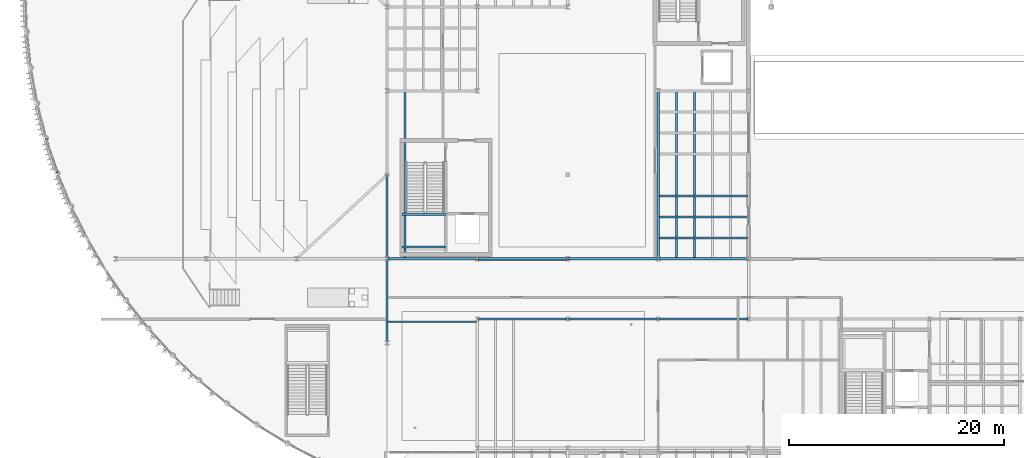
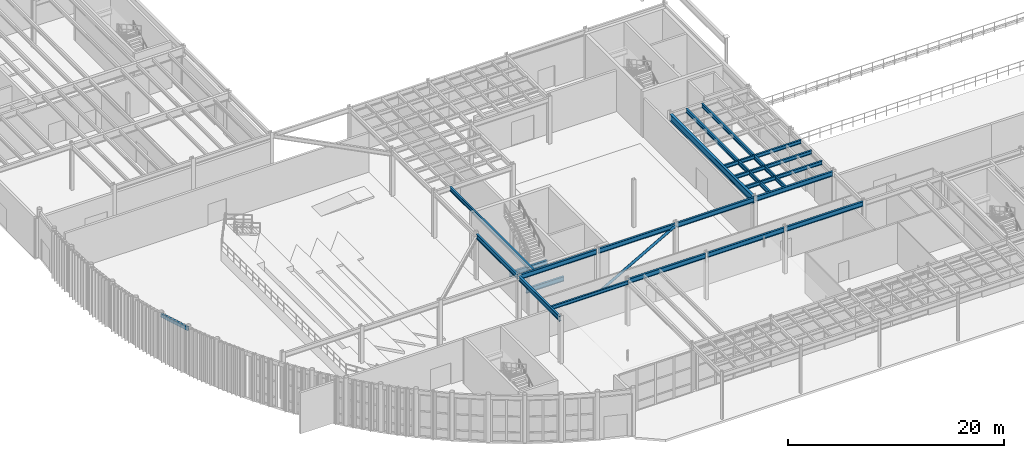
# One storey, part 30 of 87: 20 beams, 1 member.
"""IFC4 building model written with IfcOpenShell, lengths in metres."""

from ifc_helpers import new_model, si_unit, direction, frame, origin, origin_2d, place, context, subcontext, project, spatial, hollow_rectangle, hollow_circle, i_section, extrude, material, material_profile, profile_set, type_object, element, save


model = new_model("IFC4")

# Units and contexts
model_context = context("Model", 3, precision=1e-05, world=origin(), true_north=direction((0.0, 1.0)))
body_context = subcontext(model_context, "Body", "Model", "MODEL_VIEW")
ifc_project = project(units=[si_unit("LENGTHUNIT", "METRE"), si_unit("AREAUNIT", "SQUARE_METRE"), si_unit("VOLUMEUNIT", "CUBIC_METRE"), si_unit("PLANEANGLEUNIT", "RADIAN"), si_unit("MASSUNIT", "GRAM", prefix="KILO")], contexts=[model_context])

# Site, building, storey
site_placement = place(None, origin())
site = spatial("IfcSite", under=ifc_project, at=site_placement, CompositionType="ELEMENT")
building_placement = place(site_placement, origin())
building = spatial("IfcBuilding", under=site, at=building_placement, Name="Selat Folded Stagehouse", CompositionType="ELEMENT")
storey_placement = place(building_placement, origin())
storey = spatial("IfcBuildingStorey", under=building, at=storey_placement, Name="L00", CompositionType="ELEMENT", Elevation=0.0)

# Beams
ifc_material = material(Name="Steel S355", Category="steel")
ifc_material_profile_1 = material_profile(ifc_material, i_section(OverallWidth=0.210693359375, OverallDepth=0.53955078125, WebThickness=0.01171875, FlangeThickness=0.018798828125, FilletRadius=0.0126953125, at=origin_2d()), Name="UKB 533x210x109")
ifc_profile_set_1 = profile_set([ifc_material_profile_1], Name="Steel S355")
beam_type_1 = type_object("IfcBeamType", Name="BM-GIRD-533x210x109", PredefinedType="BEAM", material=ifc_profile_set_1)
beam_1_placement = place(storey_placement, frame((33.60009765625, 15.679931640625, 4.91015625), z_axis=(0.0, 1.0, 0.0), x_axis=(-1.0, 0.0, 0.0)))
element("IfcBeam", 1, at=beam_1_placement, inside=storey, type_object=beam_type_1, Name="L00 primary y-girder 0559", PredefinedType="BEAM", context=body_context, shape_type="SweptSolid", body=[
    extrude(i_section(OverallWidth=0.210693359375, OverallDepth=0.53955078125, WebThickness=0.01171875, FlangeThickness=0.018798828125, FilletRadius=0.0126953125, at=origin_2d()), origin(), (0.0, 0.0, 1.0), 7.64013671875),
])
beam_2_placement = place(storey_placement, frame((33.60009765625, 23.47998046875, 4.91015625), z_axis=(0.0, 1.0, 0.0), x_axis=(-1.0, 0.0, 0.0)))
element("IfcBeam", 2, at=beam_2_placement, inside=storey, type_object=beam_type_1, Name="L00 primary y-girder 0560", PredefinedType="BEAM", context=body_context, shape_type="SweptSolid", body=[
    extrude(i_section(OverallWidth=0.210693359375, OverallDepth=0.53955078125, WebThickness=0.01171875, FlangeThickness=0.018798828125, FilletRadius=0.0126953125, at=origin_2d()), origin(), (0.0, 0.0, 1.0), 7.64501953125),
])
ifc_material_profile_2 = material_profile(ifc_material, i_section(OverallWidth=0.209228515625, OverallDepth=0.533203125, WebThickness=0.010009765625, FlangeThickness=0.015625, FilletRadius=0.0126953125, at=origin_2d()), Name="UKB 533x210x92")
ifc_profile_set_2 = profile_set([ifc_material_profile_2], Name="Steel S355")
beam_type_2 = type_object("IfcBeamType", Name="BM-GIRD-533x210x92", PredefinedType="BEAM", material=ifc_profile_set_2)
for number, where, z_axis, x_axis, name in (
    (3, (42.080078125, 17.800048828125, 4.91357421875), (1.0, 0.0, 0.0), (0.0, 1.0, 0.0), "L00 primary x-girder 0510"),
    (4, (50.47998046875, 17.800048828125, 4.91357421875), (1.0, 0.0, 0.0), (0.0, 1.0, 0.0), "L00 primary x-girder 0511"),
):
    element("IfcBeam", number, at=place(storey_placement, frame(where, z_axis=z_axis, x_axis=x_axis)), inside=storey, type_object=beam_type_2, Name=name, PredefinedType="BEAM", context=body_context, shape_type="SweptSolid", body=[
        extrude(i_section(OverallWidth=0.209228515625, OverallDepth=0.533203125, WebThickness=0.010009765625, FlangeThickness=0.015625, FilletRadius=0.0126953125, at=origin_2d()), origin(), (0.0, 0.0, 1.0), 8.239990234375),
    ])
beam_3_placement = place(storey_placement, frame((58.8798828125, 17.800048828125, 4.91357421875), z_axis=(1.0, 0.0, 0.0), x_axis=(0.0, 1.0, 0.0)))
element("IfcBeam", 5, at=beam_3_placement, inside=storey, type_object=beam_type_2, Name="L00 primary x-girder 0512", PredefinedType="BEAM", context=body_context, shape_type="SweptSolid", body=[
    extrude(i_section(OverallWidth=0.209228515625, OverallDepth=0.533203125, WebThickness=0.010009765625, FlangeThickness=0.015625, FilletRadius=0.0126953125, at=origin_2d()), origin(), (0.0, 0.0, 1.0), 8.240234375),
])
for number, where, z_axis, x_axis, name in (
    (6, (33.679931640625, 23.39990234375, 4.91357421875), (1.0, 0.0, 0.0), (0.0, 1.0, 0.0), "L00 primary x-girder 0522"),
    (7, (42.080078125, 23.39990234375, 4.91357421875), (1.0, 0.0, 0.0), (0.0, 1.0, 0.0), "L00 primary x-girder 0523"),
    (8, (50.47998046875, 23.39990234375, 4.91357421875), (1.0, 0.0, 0.0), (0.0, 1.0, 0.0), "L00 primary x-girder 0524"),
):
    element("IfcBeam", number, at=place(storey_placement, frame(where, z_axis=z_axis, x_axis=x_axis)), inside=storey, type_object=beam_type_2, Name=name, PredefinedType="BEAM", context=body_context, shape_type="SweptSolid", body=[
        extrude(i_section(OverallWidth=0.209228515625, OverallDepth=0.533203125, WebThickness=0.010009765625, FlangeThickness=0.015625, FilletRadius=0.0126953125, at=origin_2d()), origin(), (0.0, 0.0, 1.0), 8.239990234375),
    ])
beam_4_placement = place(storey_placement, frame((58.8798828125, 23.39990234375, 4.91357421875), z_axis=(1.0, 0.0, 0.0), x_axis=(0.0, 1.0, 0.0)))
element("IfcBeam", 9, at=beam_4_placement, inside=storey, type_object=beam_type_2, Name="L00 primary x-girder 0525", PredefinedType="BEAM", context=body_context, shape_type="SweptSolid", body=[
    extrude(i_section(OverallWidth=0.209228515625, OverallDepth=0.533203125, WebThickness=0.010009765625, FlangeThickness=0.015625, FilletRadius=0.0126953125, at=origin_2d()), origin(), (0.0, 0.0, 1.0), 8.240234375),
])
for number, where, z_axis, x_axis, name in (
    (10, (35.0, 24.489990234375, 2.2333984375), (1.0, 0.0, 0.0), (0.0, 1.0, 0.0), "L00 ST-01 landing support beam 1"),
    (11, (35.0, 27.530029296875, 2.2333984375), (1.0, 0.0, 0.0), (0.0, 1.0, 0.0), "L00 ST-01 landing support beam 2"),
):
    element("IfcBeam", number, at=place(storey_placement, frame(where, z_axis=z_axis, x_axis=x_axis)), inside=storey, type_object=beam_type_2, Name=name, PredefinedType="BEAM", context=body_context, shape_type="SweptSolid", body=[
        extrude(i_section(OverallWidth=0.209228515625, OverallDepth=0.533203125, WebThickness=0.010009765625, FlangeThickness=0.015625, FilletRadius=0.0126953125, at=origin_2d()), origin(), (0.0, 0.0, 1.0), 4.050048828125),
    ])
ifc_material_profile_3 = material_profile(ifc_material, i_section(OverallWidth=0.26806640625, OverallDepth=0.769775390625, WebThickness=0.015625, FlangeThickness=0.025390625, FilletRadius=0.0166015625, at=origin_2d()), Name="UKB 762x267x197")
ifc_profile_set_3 = profile_set([ifc_material_profile_3], Name="Steel S355")
beam_type_3 = type_object("IfcBeamType", Name="BM-GIRD-762x267x197", PredefinedType="BEAM", material=ifc_profile_set_3)
beam_5_placement = place(storey_placement, frame((58.800048828125, 23.47998046875, 4.795166015625), z_axis=(0.0, 1.0, 0.0), x_axis=(-1.0, 0.0, 0.0)))
element("IfcBeam", 12, at=beam_5_placement, inside=storey, type_object=beam_type_3, Name="L00 primary y-girder 0571", PredefinedType="BEAM", context=body_context, shape_type="SweptSolid", body=[
    extrude(i_section(OverallWidth=0.26806640625, OverallDepth=0.769775390625, WebThickness=0.015625, FlangeThickness=0.025390625, FilletRadius=0.0166015625, at=origin_2d()), origin(), (0.0, 0.0, 1.0), 15.43994140625),
])
ifc_material_profile_4 = material_profile(ifc_material, i_section(OverallWidth=0.177978515625, OverallDepth=0.406494140625, WebThickness=0.0078125, FlangeThickness=0.0126953125, FilletRadius=0.01025390625, at=origin_2d()), Name="UKB 406x178x60")
ifc_profile_set_4 = profile_set([ifc_material_profile_4], Name="Steel S355")
beam_type_4 = type_object("IfcBeamType", Name="JST-406x178x60", PredefinedType="JOIST", material=ifc_profile_set_4)
beam_6_placement = place(storey_placement, frame((33.673828125, 17.550048828125, 4.976806640625), z_axis=(1.0, 0.0, 0.0), x_axis=(0.0, 1.0, 0.0)))
element("IfcBeam", 13, at=beam_6_placement, inside=storey, type_object=beam_type_4, Name="L00 secondary x-joist 0722", PredefinedType="JOIST", context=body_context, shape_type="SweptSolid", body=[
    extrude(i_section(OverallWidth=0.177978515625, OverallDepth=0.406494140625, WebThickness=0.0078125, FlangeThickness=0.0126953125, FilletRadius=0.01025390625, at=origin_2d()), origin(), (0.0, 0.0, 1.0), 8.24560546875),
])
for number, where, z_axis, x_axis, name in (
    (14, (58.893798828125, 25.35009765625, 4.976806640625), (1.0, 0.0, 0.0), (0.0, 1.0, 0.0), "L00 secondary x-joist 0724"),
    (15, (58.893798828125, 27.300048828125, 4.976806640625), (1.0, 0.0, 0.0), (0.0, 1.0, 0.0), "L00 secondary x-joist 0725"),
    (16, (58.893798828125, 29.25, 4.976806640625), (1.0, 0.0, 0.0), (0.0, 1.0, 0.0), "L00 secondary x-joist 0729"),
):
    element("IfcBeam", number, at=place(storey_placement, frame(where, z_axis=z_axis, x_axis=x_axis)), inside=storey, type_object=beam_type_4, Name=name, PredefinedType="JOIST", context=body_context, shape_type="SweptSolid", body=[
        extrude(i_section(OverallWidth=0.177978515625, OverallDepth=0.406494140625, WebThickness=0.0078125, FlangeThickness=0.0126953125, FilletRadius=0.01025390625, at=origin_2d()), origin(), (0.0, 0.0, 1.0), 8.232421875),
    ])
ifc_material_profile_5 = material_profile(ifc_material, i_section(OverallWidth=0.18994140625, OverallDepth=0.453369140625, WebThickness=0.008544921875, FlangeThickness=0.0126953125, FilletRadius=0.01025390625, at=origin_2d()), Name="UKB 457x191x67")
ifc_profile_set_5 = profile_set([ifc_material_profile_5], Name="Steel S355")
beam_type_5 = type_object("IfcBeamType", Name="JST-457x191x67", PredefinedType="JOIST", material=ifc_profile_set_5)
for number, where, z_axis, x_axis, name in (
    (17, (35.280029296875, 23.473388671875, 4.953369140625), (0.0, 1.0, 0.0), (-1.0, 0.0, 0.0), "L00 secondary floor joist 0633"),
    (18, (60.47998046875, 23.473388671875, 4.953369140625), (0.0, 1.0, 0.0), (-1.0, 0.0, 0.0), "L00 secondary floor joist 0657"),
    (19, (62.159912109375, 23.473388671875, 4.953369140625), (0.0, 1.0, 0.0), (-1.0, 0.0, 0.0), "L00 secondary floor joist 0659"),
):
    element("IfcBeam", number, at=place(storey_placement, frame(where, z_axis=z_axis, x_axis=x_axis)), inside=storey, type_object=beam_type_5, Name=name, PredefinedType="JOIST", context=body_context, shape_type="SweptSolid", body=[
        extrude(i_section(OverallWidth=0.18994140625, OverallDepth=0.453369140625, WebThickness=0.008544921875, FlangeThickness=0.0126953125, FilletRadius=0.01025390625, at=origin_2d()), origin(), (0.0, 0.0, 1.0), 15.453369140625),
    ])

# Member
ifc_material_profile_6 = material_profile(ifc_material, hollow_circle(Radius=0.136474609375, WallThickness=0.012451171875, at=origin_2d()), Name="CHS 273.0x12.5")
ifc_profile_set_6 = profile_set([ifc_material_profile_6], Name="Steel S355")
member_type = type_object("IfcMemberType", Name="MEM-BRACE-CHS273", PredefinedType="BRACE", material=ifc_profile_set_6)
member_placement = place(storey_placement, frame((42.0, 23.39990234375, 0.14990234375), z_axis=(0.870463869297, 0.0, 0.492232315324), x_axis=(0.0, 1.0, 0.0)))
element("IfcMember", 20, at=member_placement, inside=storey, type_object=member_type, Name="L00 vertical frame brace 01", PredefinedType="BRACE", context=body_context, shape_type="SweptSolid", body=[
    extrude(hollow_circle(Radius=0.136474609375, WallThickness=0.012451171875, at=origin_2d()), origin(), (0.0, 0.0, 1.0), 9.64990234375),
])

# Beam
ifc_material_profile_7 = material_profile(ifc_material, hollow_rectangle(XDim=0.199951171875, YDim=0.39990234375, WallThickness=0.012451171875, at=origin_2d()), Name="RHS 400x200x12.5")
ifc_profile_set_7 = profile_set([ifc_material_profile_7], Name="Steel S355")
beam_type_6 = type_object("IfcBeamType", Name="SPD-EXT-400x200", PredefinedType="SPANDREL", material=ifc_profile_set_7)
beam_7_placement = place(storey_placement, frame((1.9130859375, 34.583984375, 4.97998046875), z_axis=(0.312986630522, -0.949757531749, 0.0), x_axis=(0.949757531749, 0.312986630522, 0.0)))
element("IfcBeam", 21, at=beam_7_placement, inside=storey, type_object=beam_type_6, Name="L00 curved drum spandrel beam 7", PredefinedType="SPANDREL", context=body_context, shape_type="SweptSolid", body=[
    extrude(hollow_rectangle(XDim=0.199951171875, YDim=0.39990234375, WallThickness=0.012451171875, at=origin_2d()), origin(), (0.0, 0.0, 1.0), 3.368896484375),
])

save(model, "model.ifc")
